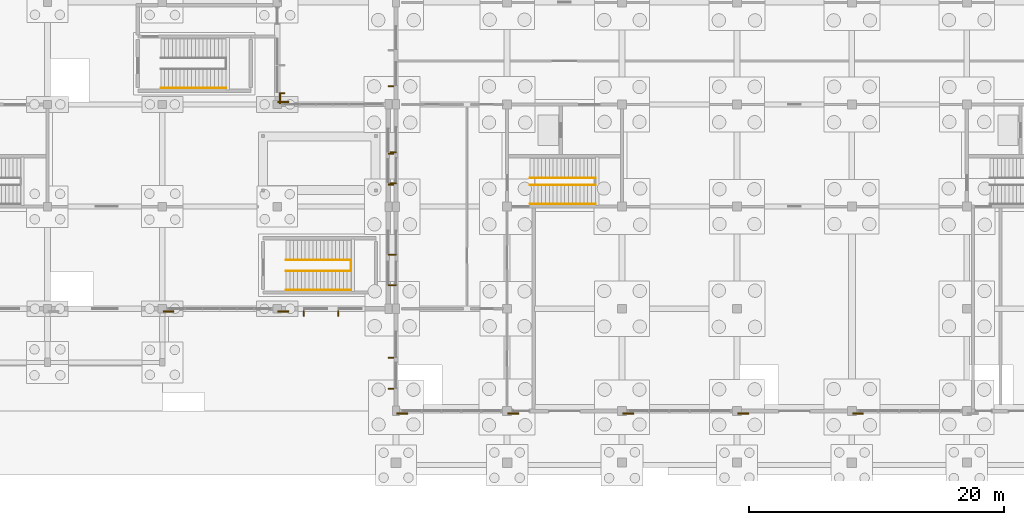
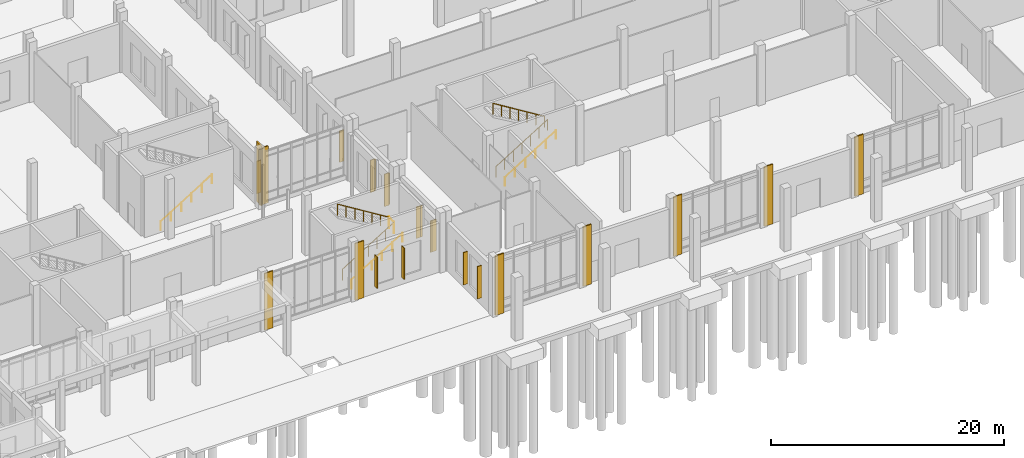
# One storey, part 89 of 99: 14 shading devices, 9 coverings, 8 railings.
"""IFC4 building model written with IfcOpenShell, lengths in metres."""

from ifc_helpers import new_model, si_unit, direction, frame, origin, origin_2d, place, context, subcontext, project, spatial, rectangle, circle, extrude, material, layer, layer_set, type_object, element, save


model = new_model("IFC4")

# Units and contexts
model_context = context("Model", 3, precision=1e-05, world=origin(), true_north=direction((0.0, 1.0)))
body_context = subcontext(model_context, "Body", "Model", "MODEL_VIEW")
ifc_project = project(units=[si_unit("LENGTHUNIT", "METRE"), si_unit("AREAUNIT", "SQUARE_METRE"), si_unit("VOLUMEUNIT", "CUBIC_METRE"), si_unit("PLANEANGLEUNIT", "RADIAN"), si_unit("MASSUNIT", "GRAM", prefix="KILO")], contexts=[model_context])

# Site, building, storey
site_placement = place(None, origin())
site = spatial("IfcSite", under=ifc_project, at=site_placement, CompositionType="ELEMENT")
building_placement = place(site_placement, origin())
building = spatial("IfcBuilding", under=site, at=building_placement, Name="Zacnel Wholesale Market", CompositionType="ELEMENT")
storey_placement = place(building_placement, origin())
storey = spatial("IfcBuildingStorey", under=building, at=storey_placement, Name="L01", CompositionType="ELEMENT", Elevation=0.0)

# Coverings
ifc_material_1 = material(Name="Honed Yucatan Maya cream limestone", Category="masonry")
ifc_layer = layer(ifc_material_1, 0.090087890625)
ifc_layer_set = layer_set([ifc_layer], Name="Honed Yucatan Maya cream limestone")
covering_type = type_object("IfcCoveringType", Name="COV-CLAD-FRET", PredefinedType="CLADDING", material=ifc_layer_set)
for number, where, z_axis, x_axis, name in (
    (1, (126.47998046875, 7.7900390625, 0.02001953125), (0.0, 0.0, 1.0), (1.0, 0.0, 0.0), "Fluted Mayan-Deco limestone pilaster L01-0039"),
    (2, (135.47998046875, 7.7900390625, 0.02001953125), (0.0, 0.0, 1.0), (1.0, 0.0, 0.0), "Fluted Mayan-Deco limestone pilaster L01-0040"),
    (3, (135.47998046875, 24.2099609375, 0.02001953125), (0.0, 0.0, 1.0), (1.0, 0.0, 0.0), "Fluted Mayan-Deco limestone pilaster L01-0041"),
):
    element("IfcCovering", number, at=place(storey_placement, frame(where, z_axis=z_axis, x_axis=x_axis)), inside=storey, type_object=covering_type, Name=name, PredefinedType="CLADDING", context=body_context, shape_type="SweptSolid", body=[
        extrude(rectangle(XDim=0.85009765625, YDim=0.1201171875, at=origin_2d()), origin(), (0.0, 0.0, 1.0), 5.97998046875),
    ])
for number, where, z_axis, x_axis, name in (
    (4, (135.2099609375, 24.47998046875, 0.02001953125), (0.0, 0.0, 1.0), (0.0, 1.0, 0.0), "Fluted Mayan-Deco limestone pilaster L01-0045"),
    (5, (144.780029296875, -0.2099609375, 0.02001953125), (0.0, 0.0, 1.0), (1.0, 0.0, 0.0), "Fluted Mayan-Deco limestone pilaster L01-0048"),
    (6, (153.47998046875, -0.2099609375, 0.02001953125), (0.0, 0.0, 1.0), (1.0, 0.0, 0.0), "Fluted Mayan-Deco limestone pilaster L01-0049"),
    (7, (162.47998046875, -0.2099609375, 0.02001953125), (0.0, 0.0, 1.0), (1.0, 0.0, 0.0), "Fluted Mayan-Deco limestone pilaster L01-0050"),
    (8, (171.47998046875, -0.2099609375, 0.02001953125), (0.0, 0.0, 1.0), (1.0, 0.0, 0.0), "Fluted Mayan-Deco limestone pilaster L01-0051"),
    (9, (180.47998046875, -0.2099609375, 0.02001953125), (0.0, 0.0, 1.0), (1.0, 0.0, 0.0), "Fluted Mayan-Deco limestone pilaster L01-0052"),
):
    element("IfcCovering", number, at=place(storey_placement, frame(where, z_axis=z_axis, x_axis=x_axis)), inside=storey, type_object=covering_type, Name=name, PredefinedType="CLADDING", context=body_context, shape_type="SweptSolid", body=[
        extrude(rectangle(XDim=0.85009765625, YDim=0.1201171875, at=origin_2d()), origin(), (0.0, 0.0, 1.0), 6.260009765625),
    ])

# Railings
ifc_material_2 = material(Name="Galvanized steel", Category="steel")
railing_type_1 = type_object("IfcRailingType", Name="RAL-HANDRAIL-920", PredefinedType="HANDRAIL", material=ifc_material_2)
railing_1_placement = place(storey_placement, frame((154.81005859375, 16.2099609375, 0.0)))
element("IfcRailing", 10, at=railing_1_placement, inside=storey, type_object=railing_type_1, Name="Stair ST-01 wall handrail", PredefinedType="HANDRAIL", context=body_context, shape_type="SweptSolid", body=[
    extrude(circle(Radius=0.02099609375, at=origin_2d()), frame((0.0, 0.0, 0.89892578125), z_axis=(0.850798532938, 0.0, 0.525492013594), x_axis=(0.0, 1.0, 0.0)), (0.0, 0.0, 1.0), 5.994140625),
    extrude(circle(Radius=0.01806640625, at=origin_2d()), origin(), (0.0, 0.0, 1.0), 0.8779296875),
    extrude(circle(Radius=0.01806640625, at=origin_2d()), frame((1.02001953125, 0.0, 0.6298828125)), (0.0, 0.0, 1.0), 0.8779296875),
    extrude(circle(Radius=0.01806640625, at=origin_2d()), frame((2.0400390625, 0.0, 1.260009765625)), (0.0, 0.0, 1.0), 0.8779296875),
    extrude(circle(Radius=0.01806640625, at=origin_2d()), frame((3.059814453125, 0.0, 1.889892578125)), (0.0, 0.0, 1.0), 0.8779296875),
    extrude(circle(Radius=0.01806640625, at=origin_2d()), frame((4.079833984375, 0.0, 2.52001953125)), (0.0, 0.0, 1.0), 0.8779296875),
    extrude(circle(Radius=0.01806640625, at=origin_2d()), frame((5.099853515625, 0.0, 3.14990234375)), (0.0, 0.0, 1.0), 0.8779296875),
])
for number, where, name in (
    (11, (125.8798828125, 25.280029296875, 0.0), "Stair ST-19 wall handrail"),
    (12, (135.679931640625, 9.47998046875, 0.0), "Stair ST-24 wall handrail"),
):
    element("IfcRailing", number, at=place(storey_placement, frame(where)), inside=storey, type_object=railing_type_1, Name=name, PredefinedType="HANDRAIL", context=body_context, shape_type="SweptSolid", body=[
        extrude(circle(Radius=0.02099609375, at=origin_2d()), frame((0.0, 0.0, 0.89892578125), z_axis=(0.850809779473, 0.0, 0.52547380444), x_axis=(0.0, 1.0, 0.0)), (0.0, 0.0, 1.0), 5.994384765625),
        extrude(circle(Radius=0.01806640625, at=origin_2d()), origin(), (0.0, 0.0, 1.0), 0.8779296875),
        extrude(circle(Radius=0.01806640625, at=origin_2d()), frame((1.02001953125, 0.0, 0.6298828125)), (0.0, 0.0, 1.0), 0.8779296875),
        extrude(circle(Radius=0.01806640625, at=origin_2d()), frame((2.0400390625, 0.0, 1.260009765625)), (0.0, 0.0, 1.0), 0.8779296875),
        extrude(circle(Radius=0.01806640625, at=origin_2d()), frame((3.06005859375, 0.0, 1.889892578125)), (0.0, 0.0, 1.0), 0.8779296875),
        extrude(circle(Radius=0.01806640625, at=origin_2d()), frame((4.080078125, 0.0, 2.52001953125)), (0.0, 0.0, 1.0), 0.8779296875),
        extrude(circle(Radius=0.01806640625, at=origin_2d()), frame((5.10009765625, 0.0, 3.14990234375)), (0.0, 0.0, 1.0), 0.8779296875),
    ])
ifc_material_3 = material(Name="Galvanized steel", Category="steel")
railing_type_2 = type_object("IfcRailingType", Name="RAL-STAIR-GD1150", PredefinedType="BALUSTRADE", material=ifc_material_3)
railing_2_placement = place(storey_placement, frame((154.81005859375, 17.699951171875, 0.0)))
element("IfcRailing", 13, at=railing_2_placement, inside=storey, type_object=railing_type_2, Name="Stair balustrade INT-STAIR-ST-01-GDIN-1", PredefinedType="BALUSTRADE", context=body_context, shape_type="SweptSolid", body=[
    extrude(circle(Radius=0.02392578125, at=origin_2d()), frame((0.0, 0.0, 1.1259765625), z_axis=(0.850798532938, 0.0, 0.525492013594), x_axis=(0.0, 1.0, 0.0)), (0.0, 0.0, 1.0), 5.994140625),
    extrude(circle(Radius=0.02099609375, at=origin_2d()), origin(), (0.0, 0.0, 1.0), 1.101806640625),
    extrude(circle(Radius=0.02099609375, at=origin_2d()), frame((0.85009765625, 0.0, 0.52490234375)), (0.0, 0.0, 1.0), 1.101806640625),
    extrude(circle(Radius=0.02099609375, at=origin_2d()), frame((1.699951171875, 0.0, 1.050048828125)), (0.0, 0.0, 1.0), 1.101806640625),
    extrude(circle(Radius=0.02099609375, at=origin_2d()), frame((2.5498046875, 0.0, 1.574951171875)), (0.0, 0.0, 1.0), 1.101806640625),
    extrude(circle(Radius=0.02099609375, at=origin_2d()), frame((3.39990234375, 0.0, 2.099853515625)), (0.0, 0.0, 1.0), 1.101806640625),
    extrude(circle(Radius=0.02099609375, at=origin_2d()), frame((4.25, 0.0, 2.625)), (0.0, 0.0, 1.0), 1.101806640625),
    extrude(circle(Radius=0.02099609375, at=origin_2d()), frame((5.099853515625, 0.0, 3.14990234375)), (0.0, 0.0, 1.0), 1.101806640625),
])
railing_3_placement = place(storey_placement, frame((159.909912109375, 18.25, 3.14990234375)))
element("IfcRailing", 14, at=railing_3_placement, inside=storey, type_object=railing_type_2, Name="Stair balustrade INT-STAIR-ST-01-GDIN-3", PredefinedType="BALUSTRADE", context=body_context, shape_type="SweptSolid", body=[
    extrude(circle(Radius=0.02392578125, at=origin_2d()), frame((0.0, 0.0, 1.1259765625), z_axis=(-0.850780323153, 0.0, 0.525521495028), x_axis=(0.0, -1.0, 0.0)), (0.0, 0.0, 1.0), 5.994384765625),
    extrude(circle(Radius=0.02099609375, at=origin_2d()), origin(), (0.0, 0.0, 1.0), 1.101806640625),
    extrude(circle(Radius=0.02099609375, at=origin_2d()), frame((-0.85009765625, 0.0, 0.52490234375)), (0.0, 0.0, 1.0), 1.101806640625),
    extrude(circle(Radius=0.02099609375, at=origin_2d()), frame((-1.699951171875, 0.0, 1.050048828125)), (0.0, 0.0, 1.0), 1.101806640625),
    extrude(circle(Radius=0.02099609375, at=origin_2d()), frame((-2.5498046875, 0.0, 1.5751953125)), (0.0, 0.0, 1.0), 1.101806640625),
    extrude(circle(Radius=0.02099609375, at=origin_2d()), frame((-3.39990234375, 0.0, 2.10009765625)), (0.0, 0.0, 1.0), 1.101806640625),
    extrude(circle(Radius=0.02099609375, at=origin_2d()), frame((-4.25, 0.0, 2.625)), (0.0, 0.0, 1.0), 1.101806640625),
    extrude(circle(Radius=0.02099609375, at=origin_2d()), frame((-5.099853515625, 0.0, 3.150146484375)), (0.0, 0.0, 1.0), 1.101806640625),
])
railing_4_placement = place(storey_placement, frame((135.679931640625, 10.969970703125, 0.0)))
element("IfcRailing", 15, at=railing_4_placement, inside=storey, type_object=railing_type_2, Name="Stair balustrade INT-STAIR-ST-24-GDIN-1", PredefinedType="BALUSTRADE", context=body_context, shape_type="SweptSolid", body=[
    extrude(circle(Radius=0.02392578125, at=origin_2d()), frame((0.0, 0.0, 1.1259765625), z_axis=(0.850809779473, 0.0, 0.52547380444), x_axis=(0.0, 1.0, 0.0)), (0.0, 0.0, 1.0), 5.994384765625),
    extrude(circle(Radius=0.02099609375, at=origin_2d()), origin(), (0.0, 0.0, 1.0), 1.101806640625),
    extrude(circle(Radius=0.02099609375, at=origin_2d()), frame((0.85009765625, 0.0, 0.52490234375)), (0.0, 0.0, 1.0), 1.101806640625),
    extrude(circle(Radius=0.02099609375, at=origin_2d()), frame((1.699951171875, 0.0, 1.050048828125)), (0.0, 0.0, 1.0), 1.101806640625),
    extrude(circle(Radius=0.02099609375, at=origin_2d()), frame((2.550048828125, 0.0, 1.574951171875)), (0.0, 0.0, 1.0), 1.101806640625),
    extrude(circle(Radius=0.02099609375, at=origin_2d()), frame((3.400146484375, 0.0, 2.099853515625)), (0.0, 0.0, 1.0), 1.101806640625),
    extrude(circle(Radius=0.02099609375, at=origin_2d()), frame((4.25, 0.0, 2.625)), (0.0, 0.0, 1.0), 1.101806640625),
    extrude(circle(Radius=0.02099609375, at=origin_2d()), frame((5.10009765625, 0.0, 3.14990234375)), (0.0, 0.0, 1.0), 1.101806640625),
])
railing_5_placement = place(storey_placement, frame((140.780029296875, 10.969970703125, 3.14990234375)))
element("IfcRailing", 16, at=railing_5_placement, inside=storey, type_object=railing_type_2, Name="Stair balustrade INT-STAIR-ST-24-GDIN-2", PredefinedType="BALUSTRADE", context=body_context, shape_type="SweptSolid", body=[
    extrude(circle(Radius=0.02392578125, at=origin_2d()), frame((0.0, 0.0, 1.1259765625), z_axis=(0.0, 1.0, 0.0), x_axis=(-1.0, 0.0, 0.0)), (0.0, 0.0, 1.0), 0.860107421875),
    extrude(circle(Radius=0.02099609375, at=origin_2d()), origin(), (0.0, 0.0, 1.0), 1.101806640625),
    extrude(circle(Radius=0.02099609375, at=origin_2d()), frame((0.0, 0.860107421875, 0.0)), (0.0, 0.0, 1.0), 1.101806640625),
])
railing_6_placement = place(storey_placement, frame((140.780029296875, 11.830078125, 3.14990234375)))
element("IfcRailing", 17, at=railing_6_placement, inside=storey, type_object=railing_type_2, Name="Stair balustrade INT-STAIR-ST-24-GDIN-3", PredefinedType="BALUSTRADE", context=body_context, shape_type="SweptSolid", body=[
    extrude(circle(Radius=0.02392578125, at=origin_2d()), frame((0.0, 0.0, 1.1259765625), z_axis=(-0.850791570709, 0.0, 0.525503285632), x_axis=(0.0, -1.0, 0.0)), (0.0, 0.0, 1.0), 5.99462890625),
    extrude(circle(Radius=0.02099609375, at=origin_2d()), origin(), (0.0, 0.0, 1.0), 1.101806640625),
    extrude(circle(Radius=0.02099609375, at=origin_2d()), frame((-0.85009765625, 0.0, 0.52490234375)), (0.0, 0.0, 1.0), 1.101806640625),
    extrude(circle(Radius=0.02099609375, at=origin_2d()), frame((-1.699951171875, 0.0, 1.050048828125)), (0.0, 0.0, 1.0), 1.101806640625),
    extrude(circle(Radius=0.02099609375, at=origin_2d()), frame((-2.550048828125, 0.0, 1.5751953125)), (0.0, 0.0, 1.0), 1.101806640625),
    extrude(circle(Radius=0.02099609375, at=origin_2d()), frame((-3.400146484375, 0.0, 2.10009765625)), (0.0, 0.0, 1.0), 1.101806640625),
    extrude(circle(Radius=0.02099609375, at=origin_2d()), frame((-4.25, 0.0, 2.625)), (0.0, 0.0, 1.0), 1.101806640625),
    extrude(circle(Radius=0.02099609375, at=origin_2d()), frame((-5.10009765625, 0.0, 3.150146484375)), (0.0, 0.0, 1.0), 1.101806640625),
])

# Shading devices
ifc_material_4 = material(Name="Honed Yucatan Maya cream limestone", Category="masonry")
shading_device_type = type_object("IfcShadingDeviceType", Name="SHD-FIN-V450", PredefinedType="USERDEFINED", material=ifc_material_4)
for number, where, z_axis, x_axis, name in (
    (18, (137.06494140625, 7.6201171875, 0.77490234375), (0.0, 0.0, 1.0), (1.0, 0.0, 0.0), "Limestone sunshade fin 0037"),
    (19, (139.764892578125, 7.6201171875, 0.77490234375), (0.0, 0.0, 1.0), (1.0, 0.0, 0.0), "Limestone sunshade fin 0038"),
    (20, (144.080078125, 9.83203125, 0.77490234375), (0.0, 0.0, 1.0), (0.0, 1.0, 0.0), "Limestone sunshade fin 0039"),
    (21, (144.080078125, 12.248046875, 0.77490234375), (0.0, 0.0, 1.0), (0.0, 1.0, 0.0), "Limestone sunshade fin 0040"),
    (22, (144.080078125, 17.83203125, 0.77490234375), (0.0, 0.0, 1.0), (0.0, 1.0, 0.0), "Limestone sunshade fin 0041"),
    (23, (144.080078125, 20.248046875, 0.77490234375), (0.0, 0.0, 1.0), (0.0, 1.0, 0.0), "Limestone sunshade fin 0042"),
):
    element("IfcShadingDevice", number, at=place(storey_placement, frame(where, z_axis=z_axis, x_axis=x_axis)), inside=storey, type_object=shading_device_type, Name=name, ObjectType="SUNSHADE", PredefinedType="USERDEFINED", context=body_context, shape_type="SweptSolid", body=[
        extrude(rectangle(XDim=0.080078125, YDim=0.43994140625, at=origin_2d()), origin(), (0.0, 0.0, 1.0), 3.300048828125),
    ])
for number, where, z_axis, x_axis, name in (
    (24, (135.3798828125, 24.884033203125, 0.800048828125), (0.0, 0.0, 1.0), (0.0, 1.0, 0.0), "Limestone sunshade fin 0049"),
    (25, (143.919921875, 1.73193359375, 0.800048828125), (0.0, 0.0, 1.0), (0.0, 1.0, 0.0), "Limestone sunshade fin 0055"),
    (26, (143.919921875, 4.14794921875, 0.800048828125), (0.0, 0.0, 1.0), (0.0, 1.0, 0.0), "Limestone sunshade fin 0056"),
):
    element("IfcShadingDevice", number, at=place(storey_placement, frame(where, z_axis=z_axis, x_axis=x_axis)), inside=storey, type_object=shading_device_type, Name=name, ObjectType="SUNSHADE", PredefinedType="USERDEFINED", context=body_context, shape_type="SweptSolid", body=[
        extrude(rectangle(XDim=0.080078125, YDim=0.43994140625, at=origin_2d()), origin(), (0.0, 0.0, 1.0), 3.39990234375),
    ])
for number, where, z_axis, x_axis, name in (
    (27, (143.919921875, 9.83203125, 0.77490234375), (0.0, 0.0, 1.0), (0.0, 1.0, 0.0), "Limestone sunshade fin 0057"),
    (28, (143.919921875, 12.248046875, 0.77490234375), (0.0, 0.0, 1.0), (0.0, 1.0, 0.0), "Limestone sunshade fin 0058"),
):
    element("IfcShadingDevice", number, at=place(storey_placement, frame(where, z_axis=z_axis, x_axis=x_axis)), inside=storey, type_object=shading_device_type, Name=name, ObjectType="SUNSHADE", PredefinedType="USERDEFINED", context=body_context, shape_type="SweptSolid", body=[
        extrude(rectangle(XDim=0.080078125, YDim=0.43994140625, at=origin_2d()), origin(), (0.0, 0.0, 1.0), 3.300048828125),
    ])
for number, where, z_axis, x_axis, name in (
    (29, (143.919921875, 17.73193359375, 0.800048828125), (0.0, 0.0, 1.0), (0.0, 1.0, 0.0), "Limestone sunshade fin 0059"),
    (30, (143.919921875, 20.14794921875, 0.800048828125), (0.0, 0.0, 1.0), (0.0, 1.0, 0.0), "Limestone sunshade fin 0060"),
):
    element("IfcShadingDevice", number, at=place(storey_placement, frame(where, z_axis=z_axis, x_axis=x_axis)), inside=storey, type_object=shading_device_type, Name=name, ObjectType="SUNSHADE", PredefinedType="USERDEFINED", context=body_context, shape_type="SweptSolid", body=[
        extrude(rectangle(XDim=0.080078125, YDim=0.43994140625, at=origin_2d()), origin(), (0.0, 0.0, 1.0), 3.39990234375),
    ])
shading_device_placement = place(storey_placement, frame((143.919921875, 25.427001953125, 0.77490234375), z_axis=(0.0, 0.0, 1.0), x_axis=(0.0, 1.0, 0.0)))
element("IfcShadingDevice", 31, at=shading_device_placement, inside=storey, type_object=shading_device_type, Name="Limestone sunshade fin 0061", ObjectType="SUNSHADE", PredefinedType="USERDEFINED", context=body_context, shape_type="SweptSolid", body=[
    extrude(rectangle(XDim=0.080078125, YDim=0.43994140625, at=origin_2d()), origin(), (0.0, 0.0, 1.0), 3.300048828125),
])

save(model, "model.ifc")
